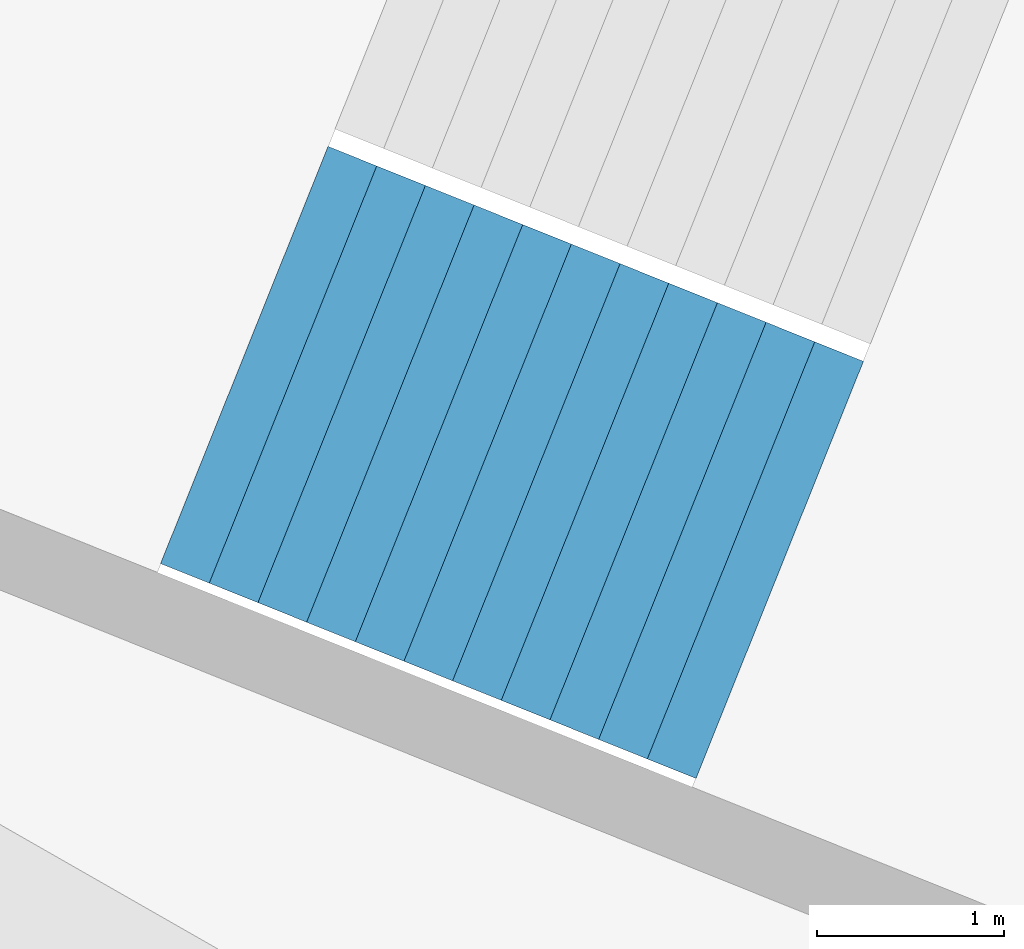
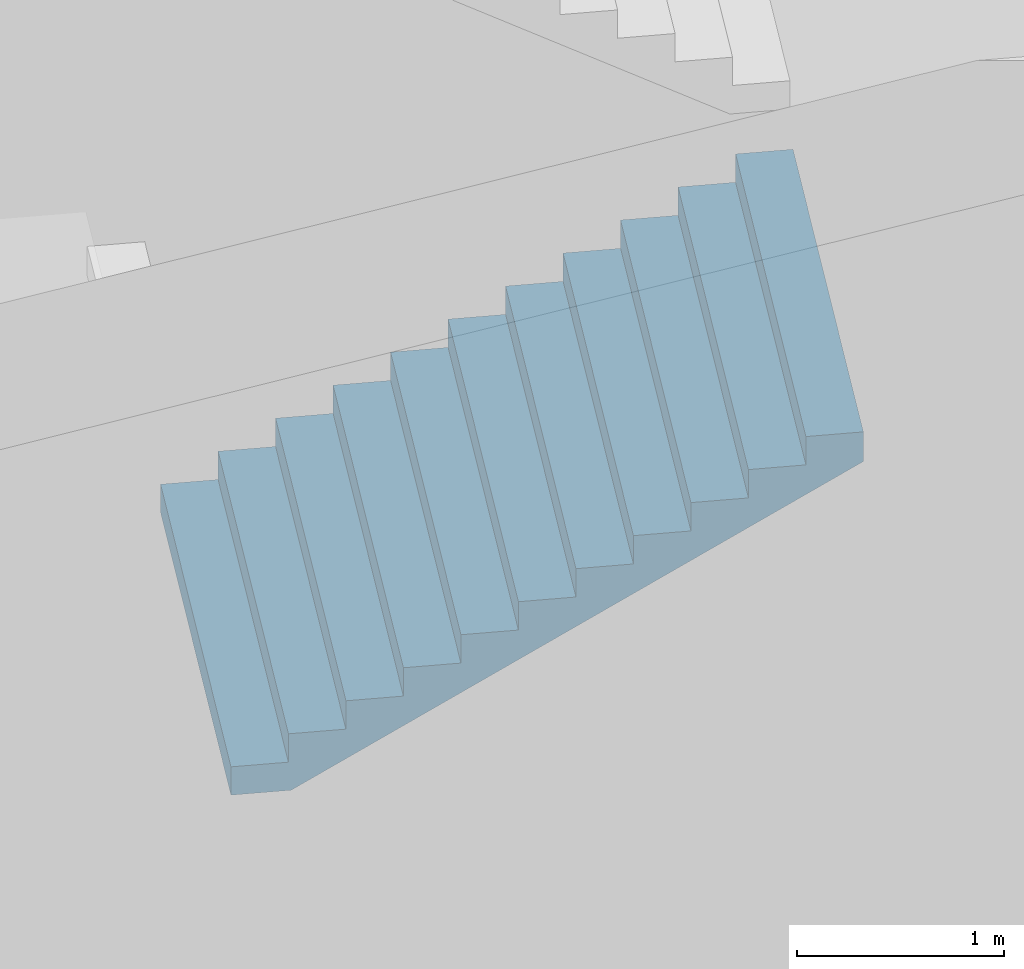
# One storey, part 51 of 74: 1 stair flight, 1 element without a shape of its own.
"""IFC4 building model written with IfcOpenShell, lengths in metres."""

from ifc_helpers import new_model, si_unit, direction, frame, origin, place, context, subcontext, project, spatial, triangles, material, type_object, element, aggregate, save


model = new_model("IFC4")

# Units and contexts
model_context = context("Model", 3, precision=1e-05, world=origin(), true_north=direction((0.0, 1.0)))
body_context = subcontext(model_context, "Body", "Model", "MODEL_VIEW")
ifc_project = project(units=[si_unit("LENGTHUNIT", "METRE"), si_unit("AREAUNIT", "SQUARE_METRE"), si_unit("VOLUMEUNIT", "CUBIC_METRE"), si_unit("PLANEANGLEUNIT", "RADIAN"), si_unit("MASSUNIT", "GRAM", prefix="KILO")], contexts=[model_context])

# Site, building, storey
site_placement = place(None, origin())
site = spatial("IfcSite", under=ifc_project, at=site_placement, CompositionType="ELEMENT")
building_placement = place(site_placement, origin())
building = spatial("IfcBuilding", under=site, at=building_placement, Name="Lantaw Convention Tower", CompositionType="ELEMENT")
storey_placement = place(building_placement, frame((0.0, 0.0, 6.5)))
storey = spatial("IfcBuildingStorey", under=building, at=storey_placement, Name="L01", CompositionType="ELEMENT", Elevation=6.5)

# Stair, stair flight
ifc_material = material(Name="Concrete C35/45", Category="concrete")
stair_type = type_object("IfcStairType", Name="Exit stair 2400 riser 166.67 in 4 flights", PredefinedType="HALF_TURN_STAIR", material=ifc_material)
stair_placement = place(storey_placement, origin())
stair = element("IfcStair", 1, at=stair_placement, inside=storey, type_object=stair_type, Name="Podium exit stair P12 L01", PredefinedType="HALF_TURN_STAIR")
stair_flight_type = type_object("IfcStairFlightType", Name="Stair flight 2400 riser 166.67", PredefinedType="STRAIGHT", material=ifc_material)
stair_flight_placement = place(storey_placement, frame((29.08642578125, -13.0234375, 4.0), z_axis=(0.0, 0.0, 1.0), x_axis=(0.928015818512, -0.372540790506, 0.0)))
stair_flight = element("IfcStairFlight", 2, at=stair_flight_placement, type_object=stair_flight_type, Name="P12 flight 3", NumberOfRisers=12, NumberOfTreads=11, PredefinedType="STRAIGHT", RiserHeight=0.166666667, TreadLength=0.28, context=body_context, shape_type="Tessellation", body=[
    triangles([(0.0, 1.199951171875, 0.0), (0.0, 1.199951171875, 0.166666667), (0.28, 1.199951171875, 0.0), (0.28, 1.199951171875, 0.166666667), (0.28, 1.199951171875, 0.333333334), (0.29307345806906726, 1.199951171875, 0.0), (0.29307345806906726, 1.199951171875, 0.333333334), (0.56, 1.199951171875, 0.15888484670522965), (0.56, 1.199951171875, 0.333333334), (0.56, 1.199951171875, 0.500000001), (0.8400000000000001, 1.199951171875, 0.3255515137052296), (0.8400000000000001, 1.199951171875, 0.500000001), (0.8400000000000001, 1.199951171875, 0.666666668), (1.12, 1.199951171875, 0.4922181807052296), (1.12, 1.199951171875, 0.666666668), (1.12, 1.199951171875, 0.833333335), (1.4000000000000001, 1.199951171875, 0.6588848477052296), (1.4000000000000001, 1.199951171875, 0.833333335), (1.4000000000000001, 1.199951171875, 1.000000002), (1.6800000000000002, 1.199951171875, 0.8255515147052296), (1.6800000000000002, 1.199951171875, 1.000000002), (1.6800000000000002, 1.199951171875, 1.166666669), (1.9600000000000002, 1.199951171875, 0.9922181817052296), (1.9600000000000002, 1.199951171875, 1.166666669), (1.9600000000000002, 1.199951171875, 1.333333336), (2.24, 1.199951171875, 1.1588848487052295), (2.24, 1.199951171875, 1.333333336), (2.24, 1.199951171875, 1.5000000029999998), (2.5200000000000005, 1.199951171875, 1.3255515157052296), (2.5200000000000005, 1.199951171875, 1.5000000029999998), (2.5200000000000005, 1.199951171875, 1.66666667), (2.8000000000000003, 1.199951171875, 1.4922181827052294), (2.8000000000000003, 1.199951171875, 1.66666667), (2.8000000000000003, 1.199951171875, 1.833333337), (3.08, 1.199951171875, 1.6588848497052293), (3.08, 1.199951171875, 1.833333337), (0.0, -1.199951171875, 0.0), (0.0, -1.199951171875, 0.166666667), (0.28, -1.199951171875, 0.0), (0.28, -1.199951171875, 0.166666667), (0.28, -1.199951171875, 0.333333334), (0.29307345806906726, -1.199951171875, 0.0), (0.29307345806906726, -1.199951171875, 0.333333334), (0.56, -1.199951171875, 0.15888484670522965), (0.56, -1.199951171875, 0.333333334), (0.56, -1.199951171875, 0.500000001), (0.8400000000000001, -1.199951171875, 0.3255515137052296), (0.8400000000000001, -1.199951171875, 0.500000001), (0.8400000000000001, -1.199951171875, 0.666666668), (1.12, -1.199951171875, 0.4922181807052296), (1.12, -1.199951171875, 0.666666668), (1.12, -1.199951171875, 0.833333335), (1.4000000000000001, -1.199951171875, 0.6588848477052296), (1.4000000000000001, -1.199951171875, 0.833333335), (1.4000000000000001, -1.199951171875, 1.000000002), (1.6800000000000002, -1.199951171875, 0.8255515147052296), (1.6800000000000002, -1.199951171875, 1.000000002), (1.6800000000000002, -1.199951171875, 1.166666669), (1.9600000000000002, -1.199951171875, 0.9922181817052296), (1.9600000000000002, -1.199951171875, 1.166666669), (1.9600000000000002, -1.199951171875, 1.333333336), (2.24, -1.199951171875, 1.1588848487052295), (2.24, -1.199951171875, 1.333333336), (2.24, -1.199951171875, 1.5000000029999998), (2.5200000000000005, -1.199951171875, 1.3255515157052296), (2.5200000000000005, -1.199951171875, 1.5000000029999998), (2.5200000000000005, -1.199951171875, 1.66666667), (2.8000000000000003, -1.199951171875, 1.4922181827052294), (2.8000000000000003, -1.199951171875, 1.66666667), (2.8000000000000003, -1.199951171875, 1.833333337), (3.08, -1.199951171875, 1.6588848497052293), (3.08, -1.199951171875, 1.833333337), (0.0, 0.239990234375, 0.166666667), (0.0, 0.239990234375, 0.0), (0.0, 0.1199951171875, 0.166666667), (0.0, 0.1199951171875, 0.0), (0.0, 0.0, 0.166666667), (0.0, 0.0, 0.0), (0.0, -0.1199951171875, 0.166666667), (0.0, -0.1199951171875, 0.0), (0.0, -0.239990234375, 0.166666667), (0.0, -0.239990234375, 0.0), (0.28, 0.239990234375, 0.333333334), (0.28, 0.239990234375, 0.166666667), (0.28, 0.1199951171875, 0.333333334), (0.28, 0.1199951171875, 0.166666667), (0.28, 0.0, 0.333333334), (0.28, 0.0, 0.166666667), (0.28, -0.1199951171875, 0.333333334), (0.28, -0.1199951171875, 0.166666667), (0.28, -0.239990234375, 0.333333334), (0.28, -0.239990234375, 0.166666667), (0.56, 0.239990234375, 0.500000001), (0.56, 0.239990234375, 0.333333334), (0.56, 0.1199951171875, 0.500000001), (0.56, 0.1199951171875, 0.333333334), (0.56, 0.0, 0.500000001), (0.56, 0.0, 0.333333334), (0.56, -0.1199951171875, 0.500000001), (0.56, -0.1199951171875, 0.333333334), (0.56, -0.239990234375, 0.500000001), (0.56, -0.239990234375, 0.333333334), (0.8400000000000001, 0.239990234375, 0.666666668), (0.8400000000000001, 0.239990234375, 0.500000001), (0.8400000000000001, 0.1199951171875, 0.666666668), (0.8400000000000001, 0.1199951171875, 0.500000001), (0.8400000000000001, 0.0, 0.666666668), (0.8400000000000001, 0.0, 0.500000001), (0.8400000000000001, -0.1199951171875, 0.666666668), (0.8400000000000001, -0.1199951171875, 0.500000001), (0.8400000000000001, -0.239990234375, 0.666666668), (0.8400000000000001, -0.239990234375, 0.500000001), (1.12, 0.239990234375, 0.833333335), (1.12, 0.239990234375, 0.666666668), (1.12, 0.1199951171875, 0.833333335), (1.12, 0.1199951171875, 0.666666668), (1.12, 0.0, 0.833333335), (1.12, 0.0, 0.666666668), (1.12, -0.1199951171875, 0.833333335), (1.12, -0.1199951171875, 0.666666668), (1.12, -0.239990234375, 0.833333335), (1.12, -0.239990234375, 0.666666668), (1.4000000000000001, 0.239990234375, 1.000000002), (1.4000000000000001, 0.239990234375, 0.833333335), (1.4000000000000001, 0.1199951171875, 1.000000002), (1.4000000000000001, 0.1199951171875, 0.833333335), (1.4000000000000001, 0.0, 1.000000002), (1.4000000000000001, 0.0, 0.833333335), (1.4000000000000001, -0.1199951171875, 1.000000002), (1.4000000000000001, -0.1199951171875, 0.833333335), (1.4000000000000001, -0.239990234375, 1.000000002), (1.4000000000000001, -0.239990234375, 0.833333335), (1.6800000000000002, 0.239990234375, 1.166666669), (1.6800000000000002, 0.239990234375, 1.000000002), (1.6800000000000002, 0.1199951171875, 1.166666669), (1.6800000000000002, 0.1199951171875, 1.000000002), (1.6800000000000002, 0.0, 1.166666669), (1.6800000000000002, 0.0, 1.000000002), (1.6800000000000002, -0.1199951171875, 1.166666669), (1.6800000000000002, -0.1199951171875, 1.000000002), (1.6800000000000002, -0.239990234375, 1.166666669), (1.6800000000000002, -0.239990234375, 1.000000002), (1.9600000000000002, 0.239990234375, 1.333333336), (1.9600000000000002, 0.239990234375, 1.166666669), (1.9600000000000002, 0.1199951171875, 1.333333336), (1.9600000000000002, 0.1199951171875, 1.166666669), (1.9600000000000002, 0.0, 1.333333336), (1.9600000000000002, 0.0, 1.166666669), (1.9600000000000002, -0.1199951171875, 1.333333336), (1.9600000000000002, -0.1199951171875, 1.166666669), (1.9600000000000002, -0.239990234375, 1.333333336), (1.9600000000000002, -0.239990234375, 1.166666669), (2.24, 0.239990234375, 1.5000000029999998), (2.24, 0.239990234375, 1.333333336), (2.24, 0.1199951171875, 1.5000000029999998), (2.24, 0.1199951171875, 1.333333336), (2.24, 0.0, 1.5000000029999998), (2.24, 0.0, 1.333333336), (2.24, -0.1199951171875, 1.5000000029999998), (2.24, -0.1199951171875, 1.333333336), (2.24, -0.239990234375, 1.5000000029999998), (2.24, -0.239990234375, 1.333333336), (2.5200000000000005, 0.239990234375, 1.66666667), (2.5200000000000005, 0.239990234375, 1.5000000029999998), (2.5200000000000005, 0.1199951171875, 1.66666667), (2.5200000000000005, 0.1199951171875, 1.5000000029999998), (2.5200000000000005, 0.0, 1.66666667), (2.5200000000000005, 0.0, 1.5000000029999998), (2.5200000000000005, -0.1199951171875, 1.66666667), (2.5200000000000005, -0.1199951171875, 1.5000000029999998), (2.5200000000000005, -0.239990234375, 1.66666667), (2.5200000000000005, -0.239990234375, 1.5000000029999998), (2.8000000000000003, 0.239990234375, 1.833333337), (2.8000000000000003, 0.239990234375, 1.66666667), (2.8000000000000003, 0.1199951171875, 1.833333337), (2.8000000000000003, 0.1199951171875, 1.66666667), (2.8000000000000003, 0.0, 1.833333337), (2.8000000000000003, 0.0, 1.66666667), (2.8000000000000003, -0.1199951171875, 1.833333337), (2.8000000000000003, -0.1199951171875, 1.66666667), (2.8000000000000003, -0.239990234375, 1.833333337), (2.8000000000000003, -0.239990234375, 1.66666667), (0.29307345806906726, 0.239990234375, 0.333333334), (0.29307345806906726, 0.1199951171875, 0.333333334), (0.29307345806906726, 0.0, 0.333333334), (0.29307345806906726, -0.1199951171875, 0.333333334), (0.29307345806906726, -0.239990234375, 0.333333334), (3.08, 0.239990234375, 1.833333337), (3.08, 0.1199951171875, 1.833333337), (3.08, 0.0, 1.833333337), (3.08, -0.1199951171875, 1.833333337), (3.08, -0.239990234375, 1.833333337), (3.08, 0.239990234375, 1.6588848497052293), (3.08, 0.1199951171875, 1.6588848497052293), (3.08, 0.0, 1.6588848497052293), (3.08, -0.1199951171875, 1.6588848497052293), (3.08, -0.239990234375, 1.6588848497052293), (2.8000000000000003, 0.239990234375, 1.4922181827052294), (2.8000000000000003, 0.1199951171875, 1.4922181827052294), (2.8000000000000003, 0.0, 1.4922181827052294), (2.8000000000000003, -0.1199951171875, 1.4922181827052294), (2.8000000000000003, -0.239990234375, 1.4922181827052294), (2.5200000000000005, 0.239990234375, 1.3255515157052296), (2.5200000000000005, 0.1199951171875, 1.3255515157052296), (2.5200000000000005, 0.0, 1.3255515157052296), (2.5200000000000005, -0.1199951171875, 1.3255515157052296), (2.5200000000000005, -0.239990234375, 1.3255515157052296), (2.24, 0.239990234375, 1.1588848487052295), (2.24, 0.1199951171875, 1.1588848487052295), (2.24, 0.0, 1.1588848487052295), (2.24, -0.1199951171875, 1.1588848487052295), (2.24, -0.239990234375, 1.1588848487052295), (1.9600000000000002, 0.239990234375, 0.9922181817052296), (1.9600000000000002, 0.1199951171875, 0.9922181817052296), (1.9600000000000002, 0.0, 0.9922181817052296), (1.9600000000000002, -0.1199951171875, 0.9922181817052296), (1.9600000000000002, -0.239990234375, 0.9922181817052296), (1.6800000000000002, 0.239990234375, 0.8255515147052296), (1.6800000000000002, 0.1199951171875, 0.8255515147052296), (1.6800000000000002, 0.0, 0.8255515147052296), (1.6800000000000002, -0.1199951171875, 0.8255515147052296), (1.6800000000000002, -0.239990234375, 0.8255515147052296), (1.4000000000000001, 0.239990234375, 0.6588848477052296), (1.4000000000000001, 0.1199951171875, 0.6588848477052296), (1.4000000000000001, 0.0, 0.6588848477052296), (1.4000000000000001, -0.1199951171875, 0.6588848477052296), (1.4000000000000001, -0.239990234375, 0.6588848477052296), (1.12, 0.239990234375, 0.4922181807052296), (1.12, 0.1199951171875, 0.4922181807052296), (1.12, 0.0, 0.4922181807052296), (1.12, -0.1199951171875, 0.4922181807052296), (1.12, -0.239990234375, 0.4922181807052296), (0.8400000000000001, 0.239990234375, 0.3255515137052296), (0.8400000000000001, 0.1199951171875, 0.3255515137052296), (0.8400000000000001, 0.0, 0.3255515137052296), (0.8400000000000001, -0.1199951171875, 0.3255515137052296), (0.8400000000000001, -0.239990234375, 0.3255515137052296), (0.56, 0.239990234375, 0.15888484670522965), (0.56, 0.1199951171875, 0.15888484670522965), (0.56, 0.0, 0.15888484670522965), (0.56, -0.1199951171875, 0.15888484670522965), (0.56, -0.239990234375, 0.15888484670522965), (0.29307345806906726, 0.239990234375, 0.0), (0.29307345806906726, 0.1199951171875, 0.0), (0.29307345806906726, 0.0, 0.0), (0.29307345806906726, -0.1199951171875, 0.0), (0.29307345806906726, -0.239990234375, 0.0), (0.28, 0.239990234375, 0.0), (0.28, 0.1199951171875, 0.0), (0.28, 0.0, 0.0), (0.28, -0.1199951171875, 0.0), (0.28, -0.239990234375, 0.0)], [[1, 4, 3], [1, 2, 4], [3, 4, 6], [4, 7, 6], [4, 5, 7], [6, 9, 8], [6, 7, 9], [8, 9, 11], [9, 12, 11], [9, 10, 12], [11, 12, 14], [12, 15, 14], [12, 13, 15], [14, 15, 17], [15, 18, 17], [15, 16, 18], [17, 18, 20], [18, 21, 20], [18, 19, 21], [20, 21, 23], [21, 24, 23], [21, 22, 24], [23, 24, 26], [24, 27, 26], [24, 25, 27], [26, 27, 29], [27, 30, 29], [27, 28, 30], [29, 30, 32], [30, 33, 32], [30, 31, 33], [32, 33, 35], [33, 36, 35], [33, 34, 36], [37, 39, 40], [37, 40, 38], [39, 42, 40], [40, 42, 43], [40, 43, 41], [42, 44, 45], [42, 45, 43], [44, 47, 45], [45, 47, 48], [45, 48, 46], [47, 50, 48], [48, 50, 51], [48, 51, 49], [50, 53, 51], [51, 53, 54], [51, 54, 52], [53, 56, 54], [54, 56, 57], [54, 57, 55], [56, 59, 57], [57, 59, 60], [57, 60, 58], [59, 62, 60], [60, 62, 63], [60, 63, 61], [62, 65, 63], [63, 65, 66], [63, 66, 64], [65, 68, 66], [66, 68, 69], [66, 69, 67], [68, 71, 69], [69, 71, 72], [69, 72, 70], [1, 73, 2], [1, 74, 73], [74, 75, 73], [74, 76, 75], [76, 77, 75], [76, 78, 77], [78, 79, 77], [78, 80, 79], [80, 81, 79], [80, 82, 81], [82, 38, 81], [82, 37, 38], [4, 83, 5], [4, 84, 83], [84, 85, 83], [84, 86, 85], [86, 87, 85], [86, 88, 87], [88, 89, 87], [88, 90, 89], [90, 91, 89], [90, 92, 91], [92, 41, 91], [92, 40, 41], [9, 93, 10], [9, 94, 93], [94, 95, 93], [94, 96, 95], [96, 97, 95], [96, 98, 97], [98, 99, 97], [98, 100, 99], [100, 101, 99], [100, 102, 101], [102, 46, 101], [102, 45, 46], [12, 103, 13], [12, 104, 103], [104, 105, 103], [104, 106, 105], [106, 107, 105], [106, 108, 107], [108, 109, 107], [108, 110, 109], [110, 111, 109], [110, 112, 111], [112, 49, 111], [112, 48, 49], [15, 113, 16], [15, 114, 113], [114, 115, 113], [114, 116, 115], [116, 117, 115], [116, 118, 117], [118, 119, 117], [118, 120, 119], [120, 121, 119], [120, 122, 121], [122, 52, 121], [122, 51, 52], [18, 123, 19], [18, 124, 123], [124, 125, 123], [124, 126, 125], [126, 127, 125], [126, 128, 127], [128, 129, 127], [128, 130, 129], [130, 131, 129], [130, 132, 131], [132, 55, 131], [132, 54, 55], [21, 133, 22], [21, 134, 133], [134, 135, 133], [134, 136, 135], [136, 137, 135], [136, 138, 137], [138, 139, 137], [138, 140, 139], [140, 141, 139], [140, 142, 141], [142, 58, 141], [142, 57, 58], [24, 143, 25], [24, 144, 143], [144, 145, 143], [144, 146, 145], [146, 147, 145], [146, 148, 147], [148, 149, 147], [148, 150, 149], [150, 151, 149], [150, 152, 151], [152, 61, 151], [152, 60, 61], [27, 153, 28], [27, 154, 153], [154, 155, 153], [154, 156, 155], [156, 157, 155], [156, 158, 157], [158, 159, 157], [158, 160, 159], [160, 161, 159], [160, 162, 161], [162, 64, 161], [162, 63, 64], [30, 163, 31], [30, 164, 163], [164, 165, 163], [164, 166, 165], [166, 167, 165], [166, 168, 167], [168, 169, 167], [168, 170, 169], [170, 171, 169], [170, 172, 171], [172, 67, 171], [172, 66, 67], [33, 173, 34], [33, 174, 173], [174, 175, 173], [174, 176, 175], [176, 177, 175], [176, 178, 177], [178, 179, 177], [178, 180, 179], [180, 181, 179], [180, 182, 181], [182, 70, 181], [182, 69, 70], [2, 84, 4], [2, 73, 84], [73, 86, 84], [73, 75, 86], [75, 88, 86], [75, 77, 88], [77, 90, 88], [77, 79, 90], [79, 92, 90], [79, 81, 92], [81, 40, 92], [81, 38, 40], [5, 183, 7], [5, 83, 183], [83, 184, 183], [83, 85, 184], [85, 185, 184], [85, 87, 185], [87, 186, 185], [87, 89, 186], [89, 187, 186], [89, 91, 187], [91, 43, 187], [91, 41, 43], [7, 94, 9], [7, 183, 94], [183, 96, 94], [183, 184, 96], [184, 98, 96], [184, 185, 98], [185, 100, 98], [185, 186, 100], [186, 102, 100], [186, 187, 102], [187, 45, 102], [187, 43, 45], [10, 104, 12], [10, 93, 104], [93, 106, 104], [93, 95, 106], [95, 108, 106], [95, 97, 108], [97, 110, 108], [97, 99, 110], [99, 112, 110], [99, 101, 112], [101, 48, 112], [101, 46, 48], [13, 114, 15], [13, 103, 114], [103, 116, 114], [103, 105, 116], [105, 118, 116], [105, 107, 118], [107, 120, 118], [107, 109, 120], [109, 122, 120], [109, 111, 122], [111, 51, 122], [111, 49, 51], [16, 124, 18], [16, 113, 124], [113, 126, 124], [113, 115, 126], [115, 128, 126], [115, 117, 128], [117, 130, 128], [117, 119, 130], [119, 132, 130], [119, 121, 132], [121, 54, 132], [121, 52, 54], [19, 134, 21], [19, 123, 134], [123, 136, 134], [123, 125, 136], [125, 138, 136], [125, 127, 138], [127, 140, 138], [127, 129, 140], [129, 142, 140], [129, 131, 142], [131, 57, 142], [131, 55, 57], [22, 144, 24], [22, 133, 144], [133, 146, 144], [133, 135, 146], [135, 148, 146], [135, 137, 148], [137, 150, 148], [137, 139, 150], [139, 152, 150], [139, 141, 152], [141, 60, 152], [141, 58, 60], [25, 154, 27], [25, 143, 154], [143, 156, 154], [143, 145, 156], [145, 158, 156], [145, 147, 158], [147, 160, 158], [147, 149, 160], [149, 162, 160], [149, 151, 162], [151, 63, 162], [151, 61, 63], [28, 164, 30], [28, 153, 164], [153, 166, 164], [153, 155, 166], [155, 168, 166], [155, 157, 168], [157, 170, 168], [157, 159, 170], [159, 172, 170], [159, 161, 172], [161, 66, 172], [161, 64, 66], [31, 174, 33], [31, 163, 174], [163, 176, 174], [163, 165, 176], [165, 178, 176], [165, 167, 178], [167, 180, 178], [167, 169, 180], [169, 182, 180], [169, 171, 182], [171, 69, 182], [171, 67, 69], [34, 188, 36], [34, 173, 188], [173, 189, 188], [173, 175, 189], [175, 190, 189], [175, 177, 190], [177, 191, 190], [177, 179, 191], [179, 192, 191], [179, 181, 192], [181, 72, 192], [181, 70, 72], [36, 193, 35], [36, 188, 193], [188, 194, 193], [188, 189, 194], [189, 195, 194], [189, 190, 195], [190, 196, 195], [190, 191, 196], [191, 197, 196], [191, 192, 197], [192, 71, 197], [192, 72, 71], [35, 198, 32], [35, 193, 198], [193, 199, 198], [193, 194, 199], [194, 200, 199], [194, 195, 200], [195, 201, 200], [195, 196, 201], [196, 202, 201], [196, 197, 202], [197, 68, 202], [197, 71, 68], [32, 203, 29], [32, 198, 203], [198, 204, 203], [198, 199, 204], [199, 205, 204], [199, 200, 205], [200, 206, 205], [200, 201, 206], [201, 207, 206], [201, 202, 207], [202, 65, 207], [202, 68, 65], [29, 208, 26], [29, 203, 208], [203, 209, 208], [203, 204, 209], [204, 210, 209], [204, 205, 210], [205, 211, 210], [205, 206, 211], [206, 212, 211], [206, 207, 212], [207, 62, 212], [207, 65, 62], [26, 213, 23], [26, 208, 213], [208, 214, 213], [208, 209, 214], [209, 215, 214], [209, 210, 215], [210, 216, 215], [210, 211, 216], [211, 217, 216], [211, 212, 217], [212, 59, 217], [212, 62, 59], [23, 218, 20], [23, 213, 218], [213, 219, 218], [213, 214, 219], [214, 220, 219], [214, 215, 220], [215, 221, 220], [215, 216, 221], [216, 222, 221], [216, 217, 222], [217, 56, 222], [217, 59, 56], [20, 223, 17], [20, 218, 223], [218, 224, 223], [218, 219, 224], [219, 225, 224], [219, 220, 225], [220, 226, 225], [220, 221, 226], [221, 227, 226], [221, 222, 227], [222, 53, 227], [222, 56, 53], [17, 228, 14], [17, 223, 228], [223, 229, 228], [223, 224, 229], [224, 230, 229], [224, 225, 230], [225, 231, 230], [225, 226, 231], [226, 232, 231], [226, 227, 232], [227, 50, 232], [227, 53, 50], [14, 233, 11], [14, 228, 233], [228, 234, 233], [228, 229, 234], [229, 235, 234], [229, 230, 235], [230, 236, 235], [230, 231, 236], [231, 237, 236], [231, 232, 237], [232, 47, 237], [232, 50, 47], [11, 238, 8], [11, 233, 238], [233, 239, 238], [233, 234, 239], [234, 240, 239], [234, 235, 240], [235, 241, 240], [235, 236, 241], [236, 242, 241], [236, 237, 242], [237, 44, 242], [237, 47, 44], [8, 243, 6], [8, 238, 243], [238, 244, 243], [238, 239, 244], [239, 245, 244], [239, 240, 245], [240, 246, 245], [240, 241, 246], [241, 247, 246], [241, 242, 247], [242, 42, 247], [242, 44, 42], [6, 248, 3], [6, 243, 248], [243, 249, 248], [243, 244, 249], [244, 250, 249], [244, 245, 250], [245, 251, 250], [245, 246, 251], [246, 252, 251], [246, 247, 252], [247, 39, 252], [247, 42, 39], [3, 74, 1], [3, 248, 74], [248, 76, 74], [248, 249, 76], [249, 78, 76], [249, 250, 78], [250, 80, 78], [250, 251, 80], [251, 82, 80], [251, 252, 82], [252, 37, 82], [252, 39, 37]], closed=True),
])
aggregate(stair, [stair_flight])

save(model, "model.ifc")
